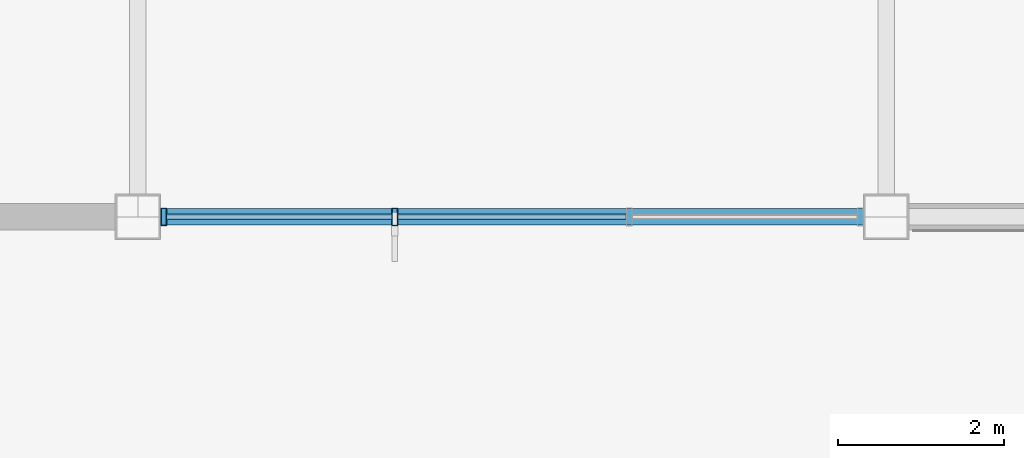
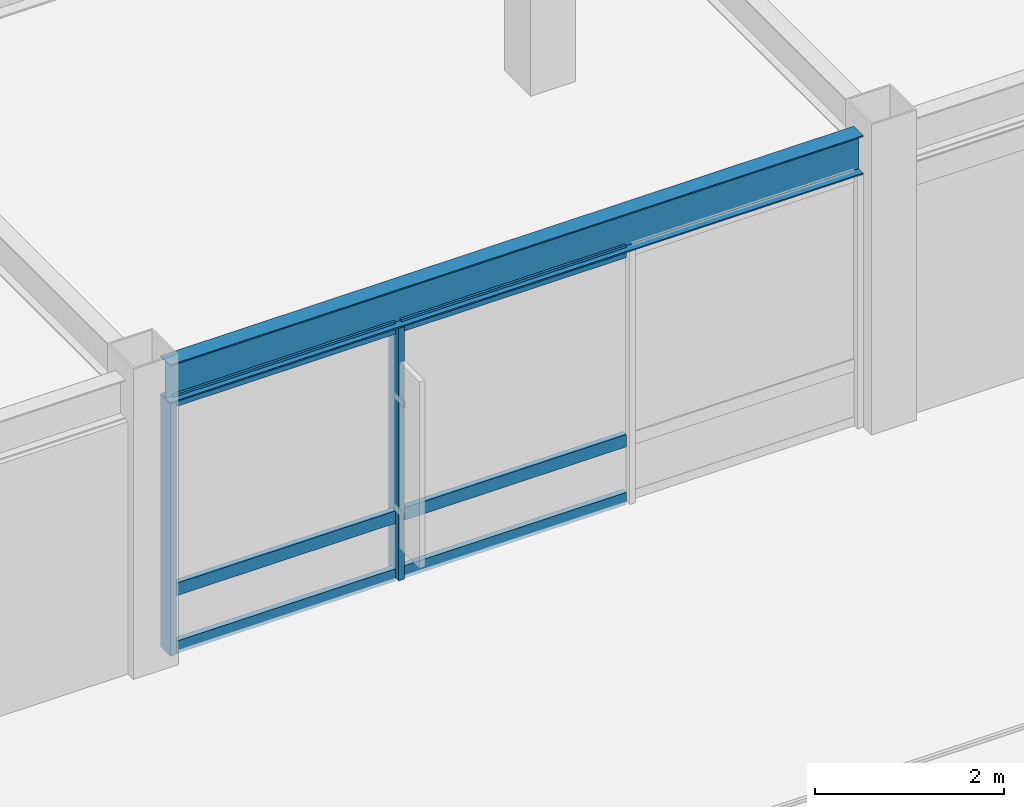
# One storey, part 38 of 122: 8 members, 1 beam, 1 element without a shape of its own.
"""IFC4 building model written with IfcOpenShell, lengths in metres."""

from ifc_helpers import new_model, si_unit, direction, frame, origin, origin_2d, place, context, subcontext, project, spatial, hollow_rectangle, i_section, extrude, material, material_profile, profile_set, type_object, element, aggregate, save


model = new_model("IFC4")

# Units and contexts
model_context = context("Model", 3, precision=1e-05, world=origin(), true_north=direction((0.0, 1.0)))
body_context = subcontext(model_context, "Body", "Model", "MODEL_VIEW")
ifc_project = project(units=[si_unit("LENGTHUNIT", "METRE"), si_unit("AREAUNIT", "SQUARE_METRE"), si_unit("VOLUMEUNIT", "CUBIC_METRE"), si_unit("PLANEANGLEUNIT", "RADIAN"), si_unit("MASSUNIT", "GRAM", prefix="KILO")], contexts=[model_context])

# Site, building, storey
site_placement = place(None, origin())
site = spatial("IfcSite", under=ifc_project, at=site_placement, CompositionType="ELEMENT")
building_placement = place(site_placement, origin())
building = spatial("IfcBuilding", under=site, at=building_placement, Name="Kazanami Central Library", CompositionType="ELEMENT")
storey_placement = place(building_placement, frame((0.0, 0.0, 4.800048828125)))
storey = spatial("IfcBuildingStorey", under=building, at=storey_placement, Name="L02", CompositionType="ELEMENT", Elevation=4.800048828125)

# Beam
ifc_material_1 = material(Name="Steel SN490B (325 MPa)", Category="steel")
ifc_material_profile_1 = material_profile(ifc_material_1, i_section(OverallWidth=0.199951171875, OverallDepth=0.5, WebThickness=0.010009765625, FlangeThickness=0.01611328125, at=origin_2d()), Name="H-500x200x10x16")
ifc_profile_set_1 = profile_set([ifc_material_profile_1], Name="Steel SN490B (325 MPa)")
beam_type = type_object("IfcBeamType", Name="BM-SP-1", PredefinedType="SPANDREL", material=ifc_profile_set_1)
beam_placement = place(storey_placement, frame((90.27294921875, 21.60009765625, 3.5048828125), z_axis=(1.0, 0.0, 0.0), x_axis=(0.0, 1.0, 0.0)))
element("IfcBeam", 1, at=beam_placement, inside=storey, type_object=beam_type, Name="Girder SP-1 L02 D/11-12", PredefinedType="SPANDREL", context=body_context, shape_type="SweptSolid", body=[
    extrude(i_section(OverallWidth=0.199951171875, OverallDepth=0.5, WebThickness=0.010009765625, FlangeThickness=0.01611328125, at=origin_2d()), origin(), (0.0, 0.0, 1.0), 8.4541015625),
])

# Curtain wall, members
ifc_material_2 = material(Name="Acid-Etched Low-E Laminated Glass", Category="glass")
curtain_wall_type = type_object("IfcCurtainWallType", Name="CW-8450x3255-M275", PredefinedType="USERDEFINED", material=ifc_material_2)
curtain_wall_placement = place(storey_placement, origin())
curtain_wall = element("IfcCurtainWall", 2, at=curtain_wall_placement, inside=storey, type_object=curtain_wall_type, Name="Unitised Curtain Wall CW-13 L02 S-D-10", ObjectType="UNITISED CURTAIN WALL", PredefinedType="USERDEFINED")
ifc_material_3 = material(Name="Anodised Aluminium A6063-T5", Category="aluminium")
ifc_material_profile_2 = material_profile(ifc_material_3, hollow_rectangle(XDim=0.070068359375, YDim=0.2099609375, WallThickness=0.0048828125, at=origin_2d()), Name="ALU-MULL-70x210x5")
ifc_profile_set_2 = profile_set([ifc_material_profile_2], Name="Anodised Aluminium A6063-T5")
member_type_1 = type_object("IfcMemberType", Name="MEM-CW-M1", PredefinedType="MULLION", material=ifc_profile_set_2)
member_1_placement = place(storey_placement, frame((90.31005859375, 21.60009765625, 0.0), z_axis=(0.0, 0.0, 1.0), x_axis=(1.0, 0.0, 0.0)))
member_1 = element("IfcMember", 3, at=member_1_placement, type_object=member_type_1, Name="CW-13 mullion 1", PredefinedType="MULLION", context=body_context, shape_type="SweptSolid", body=[
    extrude(hollow_rectangle(XDim=0.070068359375, YDim=0.2099609375, WallThickness=0.0048828125, at=origin_2d()), origin(), (0.0, 0.0, 1.0), 3.2548828125),
])
member_2_placement = place(storey_placement, frame((93.091552734375, 21.60009765625, 0.0), z_axis=(0.0, 0.0, 1.0), x_axis=(1.0, 0.0, 0.0)))
member_2 = element("IfcMember", 4, at=member_2_placement, type_object=member_type_1, Name="CW-13 mullion 2", PredefinedType="MULLION", context=body_context, shape_type="SweptSolid", body=[
    extrude(hollow_rectangle(XDim=0.070068359375, YDim=0.2099609375, WallThickness=0.0048828125, at=origin_2d()), origin(), (0.0, 0.0, 1.0), 3.2548828125),
])
ifc_material_profile_3 = material_profile(ifc_material_3, hollow_rectangle(XDim=0.070068359375, YDim=0.159912109375, WallThickness=0.00390625, at=origin_2d()), Name="ALU-TRAN-70x160x4")
ifc_profile_set_3 = profile_set([ifc_material_profile_3], Name="Anodised Aluminium A6063-T5")
member_type_2 = type_object("IfcMemberType", Name="MEM-CW-T1", PredefinedType="USERDEFINED", material=ifc_profile_set_3)
member_3_placement = place(storey_placement, frame((90.344970703125, 21.60009765625, 0.034912109375), z_axis=(1.0, 0.0, 0.0), x_axis=(0.0, 1.0, 0.0)))
member_3 = element("IfcMember", 5, at=member_3_placement, type_object=member_type_2, Name="CW-13 transom 1.1", ObjectType="TRANSOM", PredefinedType="USERDEFINED", context=body_context, shape_type="SweptSolid", body=[
    extrude(hollow_rectangle(XDim=0.070068359375, YDim=0.159912109375, WallThickness=0.00390625, at=origin_2d()), origin(), (0.0, 0.0, 1.0), 2.711669921875),
])
member_4_placement = place(storey_placement, frame((90.344970703125, 21.60009765625, 0.780029296875), z_axis=(1.0, 0.0, 0.0), x_axis=(0.0, 1.0, 0.0)))
member_4 = element("IfcMember", 6, at=member_4_placement, type_object=member_type_2, Name="CW-13 transom 1.2", ObjectType="TRANSOM", PredefinedType="USERDEFINED", context=body_context, shape_type="SweptSolid", body=[
    extrude(hollow_rectangle(XDim=0.070068359375, YDim=0.159912109375, WallThickness=0.00390625, at=origin_2d()), origin(), (0.0, 0.0, 1.0), 2.711669921875),
])
member_5_placement = place(storey_placement, frame((90.344970703125, 21.60009765625, 3.219970703125), z_axis=(1.0, 0.0, 0.0), x_axis=(0.0, 1.0, 0.0)))
member_5 = element("IfcMember", 7, at=member_5_placement, type_object=member_type_2, Name="CW-13 transom 1.3", ObjectType="TRANSOM", PredefinedType="USERDEFINED", context=body_context, shape_type="SweptSolid", body=[
    extrude(hollow_rectangle(XDim=0.070068359375, YDim=0.159912109375, WallThickness=0.00390625, at=origin_2d()), origin(), (0.0, 0.0, 1.0), 2.711669921875),
])
member_6_placement = place(storey_placement, frame((93.126708984375, 21.60009765625, 0.034912109375), z_axis=(1.0, 0.0, 0.0), x_axis=(0.0, 1.0, 0.0)))
member_6 = element("IfcMember", 8, at=member_6_placement, type_object=member_type_2, Name="CW-13 transom 2.1", ObjectType="TRANSOM", PredefinedType="USERDEFINED", context=body_context, shape_type="SweptSolid", body=[
    extrude(hollow_rectangle(XDim=0.070068359375, YDim=0.159912109375, WallThickness=0.00390625, at=origin_2d()), origin(), (0.0, 0.0, 1.0), 2.74658203125),
])
member_7_placement = place(storey_placement, frame((93.126708984375, 21.60009765625, 0.780029296875), z_axis=(1.0, 0.0, 0.0), x_axis=(0.0, 1.0, 0.0)))
member_7 = element("IfcMember", 9, at=member_7_placement, type_object=member_type_2, Name="CW-13 transom 2.2", ObjectType="TRANSOM", PredefinedType="USERDEFINED", context=body_context, shape_type="SweptSolid", body=[
    extrude(hollow_rectangle(XDim=0.070068359375, YDim=0.159912109375, WallThickness=0.00390625, at=origin_2d()), origin(), (0.0, 0.0, 1.0), 2.74658203125),
])
member_8_placement = place(storey_placement, frame((93.126708984375, 21.60009765625, 3.219970703125), z_axis=(1.0, 0.0, 0.0), x_axis=(0.0, 1.0, 0.0)))
member_8 = element("IfcMember", 10, at=member_8_placement, type_object=member_type_2, Name="CW-13 transom 2.3", ObjectType="TRANSOM", PredefinedType="USERDEFINED", context=body_context, shape_type="SweptSolid", body=[
    extrude(hollow_rectangle(XDim=0.070068359375, YDim=0.159912109375, WallThickness=0.00390625, at=origin_2d()), origin(), (0.0, 0.0, 1.0), 2.74658203125),
])
aggregate(curtain_wall, [member_1, member_2, member_3, member_4, member_5, member_6, member_7, member_8])

save(model, "model.ifc")
